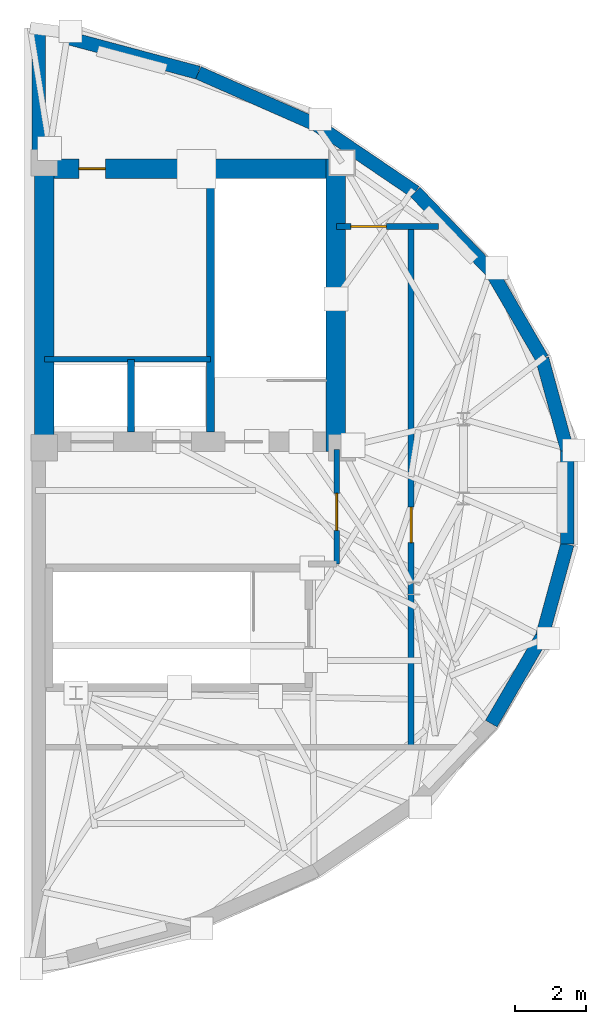
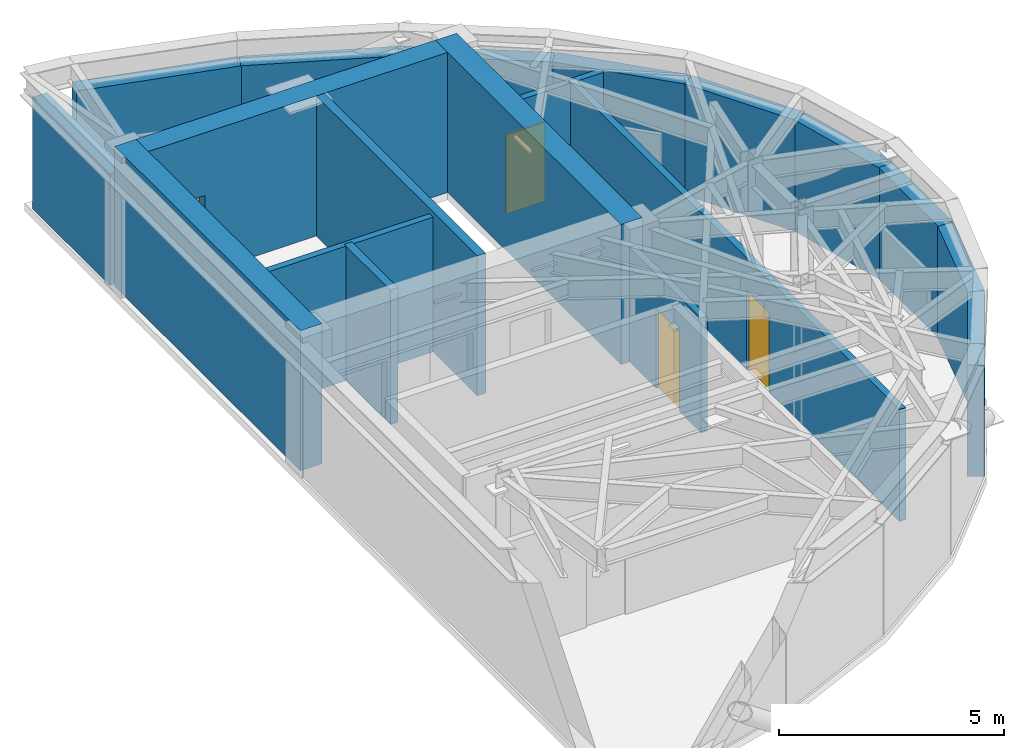
# One storey, part 3 of 4: 19 walls, 4 doors, 4 openings.
"""IFC4 building model written with IfcOpenShell, lengths in metres."""

import ifcopenshell
import ifcopenshell.guid

model = None  # the IFC model being written
_history = None  # IfcOwnerHistory: only IFC2X3 demands one
_inside = {}  # id of a spatial element -> (the spatial element, [elements in it])
_under = {}  # id of a project, library or spatial element -> (it, [spatial elements below it])
_declared = {}  # id of a project -> (the project, [libraries it declares])
_typed = {}  # id of a type object -> (the type object, [elements of that type])
_made_of = {}  # id of a material, layer set ... -> (it, [elements and type objects made of it])


def new_model(schema):
    """Start an empty IFC model of exactly this schema.

    Asked for "IFC4X3", IfcOpenShell would pick the latest addendum, in which some entities
    have other attributes; the version numbers below select the first issue.
    IFC2X3 requires an IfcOwnerHistory on every rooted entity: one is made here for all.
    """
    global model, _history
    if schema == "IFC4X3":
        model = ifcopenshell.file(schema_version=(4, 3, 0, 0))
    else:
        model = ifcopenshell.file(schema=schema)
    _inside.clear()
    _under.clear()
    _declared.clear()
    _typed.clear()
    _made_of.clear()
    _history = None
    if model.schema == "IFC2X3":
        org = make("IfcOrganization", Name="unknown")
        user = make(
            "IfcPersonAndOrganization",
            ThePerson=make("IfcPerson", FamilyName="unknown"),
            TheOrganization=org,
        )
        app = make(
            "IfcApplication",
            ApplicationDeveloper=org,
            Version="unknown",
            ApplicationFullName="unknown",
            ApplicationIdentifier="unknown",
        )
        _history = make(
            "IfcOwnerHistory",
            OwningUser=user,
            OwningApplication=app,
            ChangeAction="ADDED",
            CreationDate=0,
        )
    return model


def make(cls, **values):
    """One entity of the class cls with the attributes given. An attribute that is None is left unset."""
    return model.create_entity(
        cls, **{name: value for name, value in values.items() if value is not None}
    )


def rooted(cls, **values):
    """An entity with a GlobalId (a new one), such as an element, a storey or a relation."""
    return make(cls, GlobalId=ifcopenshell.guid.new(), OwnerHistory=_history, **values)


def si_unit(unit_type, name, prefix=None):
    """IfcSIUnit, for example si_unit("LENGTHUNIT", "METRE", prefix="MILLI")."""
    return make("IfcSIUnit", UnitType=unit_type, Prefix=prefix, Name=name)


def assignment(units):
    """IfcUnitAssignment: the units of a project."""
    return None if units is None else make("IfcUnitAssignment", Units=units)


def point(xyz):
    """IfcCartesianPoint."""
    return None if xyz is None else make("IfcCartesianPoint", Coordinates=xyz)


def direction(xyz):
    """IfcDirection."""
    return None if xyz is None else make("IfcDirection", DirectionRatios=xyz)


def frame(location, z_axis=None, x_axis=None):
    """IfcAxis2Placement3D, a coordinate frame: its origin and axes. An axis left out is left unset."""
    return make(
        "IfcAxis2Placement3D",
        Location=point(location),
        Axis=direction(z_axis),
        RefDirection=direction(x_axis),
    )


def frame_2d(location, x_axis=None):
    """IfcAxis2Placement2D, a coordinate frame in the plane: its origin and x axis."""
    return make(
        "IfcAxis2Placement2D", Location=point(location), RefDirection=direction(x_axis)
    )


def origin():
    """The frame at (0, 0, 0) with its axes left unset."""
    return frame((0.0, 0.0, 0.0))


def place(relative_to, where):
    """IfcLocalPlacement: puts the frame where relative to a parent placement (None: the world)."""
    return make(
        "IfcLocalPlacement", PlacementRelTo=relative_to, RelativePlacement=where
    )


def context(
    kind, dimensions, precision=None, world=None, true_north=None, identifier=None
):
    """IfcGeometricRepresentationContext, for example the 3D "Model" context."""
    return make(
        "IfcGeometricRepresentationContext",
        ContextIdentifier=identifier,
        ContextType=kind,
        CoordinateSpaceDimension=dimensions,
        Precision=precision,
        WorldCoordinateSystem=world,
        TrueNorth=true_north,
    )


def subcontext(parent, identifier, kind, view, scale=None):
    """IfcGeometricRepresentationSubContext, for example "Body" below "Model"."""
    return make(
        "IfcGeometricRepresentationSubContext",
        ContextIdentifier=identifier,
        ContextType=kind,
        ParentContext=parent,
        TargetScale=scale,
        TargetView=view,
    )


def project(units=None, contexts=None):
    """IfcProject with its units and contexts."""
    return rooted(
        "IfcProject",
        Name="project",
        RepresentationContexts=contexts,
        UnitsInContext=assignment(units),
    )


def spatial(cls, under=None, at=None, **own):
    """A site, building, storey or space (cls), placed at a placement, below another one or the project."""
    s = rooted(cls, ObjectPlacement=at, **own)
    if under is not None:
        _under.setdefault(under.id(), (under, []))[1].append(s)
    return s


def profile(cls, at=None, kind="AREA", **sizes):
    """A parametric profile (cls). Its sizes go by their IFC names, for example OverallWidth=200.0."""
    return make(cls, ProfileType=kind, Position=at, **sizes)


def rectangle(**sizes):
    """IfcRectangleProfileDef."""
    return profile("IfcRectangleProfileDef", **sizes)


def extrude(swept, where, along, depth):
    """IfcExtrudedAreaSolid: the profile swept, set in the frame where, extruded along a direction by depth."""
    return make(
        "IfcExtrudedAreaSolid",
        SweptArea=swept,
        Position=where,
        ExtrudedDirection=direction(along),
        Depth=depth,
    )


def shape(context_of_items, identifier, shape_type, items):
    """IfcShapeRepresentation: the items that make up one representation, for example the "Body"."""
    return make(
        "IfcShapeRepresentation",
        ContextOfItems=context_of_items,
        RepresentationIdentifier=identifier,
        RepresentationType=shape_type,
        Items=items,
    )


def material(Name=None, Category=None):
    """IfcMaterial."""
    return make("IfcMaterial", Name=Name, Category=Category)


def layer(
    of_material, thickness, ventilated=None, Name=None, Category=None, Priority=None
):
    """IfcMaterialLayer: one layer of a wall or slab, of a material (None: an air gap)."""
    return make(
        "IfcMaterialLayer",
        Material=of_material,
        LayerThickness=thickness,
        IsVentilated=ventilated,
        Name=Name,
        Category=Category,
        Priority=Priority,
    )


def layer_set(layers, Name=None):
    """IfcMaterialLayerSet."""
    return make("IfcMaterialLayerSet", MaterialLayers=layers, LayerSetName=Name)


def made_of(thing, what):
    """Note that an element or type object is made of a material, layer set ...; save() writes the relation."""
    if what is not None:
        _made_of.setdefault(what.id(), (what, []))[1].append(thing)
    return thing


def type_object(cls, material=None, **own):
    """A type object (cls), such as IfcWallType, which elements share."""
    return made_of(rooted(cls, **own), material)


def element(
    cls,
    number,
    at=None,
    inside=None,
    cuts=None,
    type_object=None,
    material=None,
    context=None,
    identifier="Body",
    shape_type=None,
    held_by="IfcProductDefinitionShape",
    body=None,
    shapes=None,
    **own,
):
    """One element of the class cls, such as IfcWall. Its Tag is "e" and its number.

    at: its placement. inside: the storey or other place that contains it. cuts: it is an
    opening in that element (IfcRelVoidsElement). A single representation is given by context,
    identifier, shape_type and body (its items); several are given by shapes. held_by: the class
    of the entity that holds the representations. save() writes the other relations.
    """
    e = rooted(cls, Tag="e%d" % number, ObjectPlacement=at, **own)
    if body is not None:
        shapes = [shape(context, identifier, shape_type, body)]
    if shapes is not None:
        e.Representation = make(held_by, Representations=shapes)
    if inside is not None:
        _inside.setdefault(inside.id(), (inside, []))[1].append(e)
    if cuts is not None:
        rooted(
            "IfcRelVoidsElement", RelatingBuildingElement=cuts, RelatedOpeningElement=e
        )
    if type_object is not None:
        _typed.setdefault(type_object.id(), (type_object, []))[1].append(e)
    return made_of(e, material)


def fill(opening, filler):
    """IfcRelFillsElement: the door or window that sits in an opening."""
    return rooted(
        "IfcRelFillsElement",
        RelatingOpeningElement=opening,
        RelatedBuildingElement=filler,
    )


def aggregate(whole, parts):
    """IfcRelAggregates: a whole, such as a stair, and the parts it consists of."""
    return rooted("IfcRelAggregates", RelatingObject=whole, RelatedObjects=parts)


def save(model, path):
    """Write the relations noted so far, then the file.

    IfcRelAggregates (storeys below a building ...), IfcRelContainedInSpatialStructure (elements
    in a storey), IfcRelDefinesByType, IfcRelAssociatesMaterial and IfcRelDeclares: one each for
    every whole, place, type object, material and project.
    """
    for whole, parts in _under.values():
        aggregate(whole, parts)
    for where, things in _inside.values():
        rooted(
            "IfcRelContainedInSpatialStructure",
            RelatedElements=things,
            RelatingStructure=where,
        )
    for kind, things in _typed.values():
        rooted("IfcRelDefinesByType", RelatedObjects=things, RelatingType=kind)
    for what, things in _made_of.values():
        rooted("IfcRelAssociatesMaterial", RelatedObjects=things, RelatingMaterial=what)
    for by, libraries in _declared.values():
        rooted("IfcRelDeclares", RelatingContext=by, RelatedDefinitions=libraries)
    model.write(path)


model = new_model("IFC4")

# Units and contexts
model_context = context("Model", 3, precision=1e-05, world=origin(), true_north=direction((0.0, 1.0)))
body_context = subcontext(model_context, "Body", "Model", "MODEL_VIEW")
ifc_project = project(units=[si_unit("LENGTHUNIT", "METRE"), si_unit("AREAUNIT", "SQUARE_METRE"), si_unit("VOLUMEUNIT", "CUBIC_METRE"), si_unit("PLANEANGLEUNIT", "RADIAN"), si_unit("MASSUNIT", "GRAM", prefix="KILO")], contexts=[model_context])

# Site, building, storey
site_placement = place(None, origin())
site = spatial("IfcSite", under=ifc_project, at=site_placement, CompositionType="ELEMENT")
building_placement = place(site_placement, origin())
building = spatial("IfcBuilding", under=site, at=building_placement, Name="Keldmark Tower", CompositionType="ELEMENT")
storey_placement = place(building_placement, frame((0.0, 0.0, 288.199951171875)))
storey = spatial("IfcBuildingStorey", under=building, at=storey_placement, Name="L81", CompositionType="ELEMENT", Elevation=288.199951171875)

# Walls
ifc_material_1 = material(Name="Kasota Buff Limestone Ashlar Masonry", Category="masonry")
ifc_layer_1 = layer(ifc_material_1, 0.3798828125)
ifc_layer_set_1 = layer_set([ifc_layer_1], Name="Kasota Buff Limestone Ashlar Masonry")
wall_type_1 = type_object("IfcWallType", Name="Crown Kasota Limestone Screen Wall 380 mm", PredefinedType="ELEMENTEDWALL", material=ifc_layer_set_1)
wall_1_placement = place(storey_placement, frame((9.544677734375, 11.985595703125, 0.0), z_axis=(0.0, 0.0, 1.0), x_axis=(-0.965986900467, 0.2585910055, 0.0)))
element("IfcWall", 1, at=wall_1_placement, inside=storey, type_object=wall_type_1, Name="L81 Crown Limestone Enclosure Wall E01", PredefinedType="ELEMENTEDWALL", context=body_context, shape_type="SweptSolid", body=[
    extrude(rectangle(XDim=3.813232421875, YDim=0.3798828125, at=frame_2d((1.90673828125, 0.0))), origin(), (0.0, 0.0, 1.0), 3.02001953125),
])
wall_2_placement = place(storey_placement, frame((12.869140625, 10.521240234375, 0.0), z_axis=(0.0, 0.0, 1.0), x_axis=(-0.915153428526, 0.403105696137, 0.0)))
element("IfcWall", 2, at=wall_2_placement, inside=storey, type_object=wall_type_1, Name="L81 Crown Limestone Enclosure Wall E02", PredefinedType="ELEMENTEDWALL", context=body_context, shape_type="SweptSolid", body=[
    extrude(rectangle(XDim=3.632568359375, YDim=0.3798828125, at=frame_2d((1.81640625, 0.0))), origin(), (0.0, 0.0, 1.0), 3.02001953125),
])
wall_3_placement = place(storey_placement, frame((15.66748046875, 8.623291015625, 0.0), z_axis=(0.0, 0.0, 1.0), x_axis=(-0.827602756671, 0.561314241001, 0.0)))
element("IfcWall", 3, at=wall_3_placement, inside=storey, type_object=wall_type_1, Name="L81 Crown Limestone Enclosure Wall E03", PredefinedType="ELEMENTEDWALL", context=body_context, shape_type="SweptSolid", body=[
    extrude(rectangle(XDim=3.38134765625, YDim=0.3798828125, at=frame_2d((1.690673828125, 0.0))), origin(), (0.0, 0.0, 1.0), 3.02001953125),
])
wall_4_placement = place(storey_placement, frame((17.81298828125, 6.38232421875, 0.0), z_axis=(0.0, 0.0, 1.0), x_axis=(-0.691554901652, 0.722323901031, 0.0)))
element("IfcWall", 4, at=wall_4_placement, inside=storey, type_object=wall_type_1, Name="L81 Crown Limestone Enclosure Wall E04", PredefinedType="ELEMENTEDWALL", context=body_context, shape_type="SweptSolid", body=[
    extrude(rectangle(XDim=3.1025390625, YDim=0.3798828125, at=frame_2d((1.55126953125, 0.0))), origin(), (0.0, 0.0, 1.0), 3.02001953125),
])
wall_5_placement = place(storey_placement, frame((19.250244140625, 3.9130859375, 0.0), z_axis=(0.0, 0.0, 1.0), x_axis=(-0.503052590922, 0.864255801697, 0.0)))
element("IfcWall", 5, at=wall_5_placement, inside=storey, type_object=wall_type_1, Name="L81 Crown Limestone Enclosure Wall E05", PredefinedType="ELEMENTEDWALL", context=body_context, shape_type="SweptSolid", body=[
    extrude(rectangle(XDim=2.857177734375, YDim=0.3798828125, at=frame_2d((1.4287109375, 0.0))), origin(), (0.0, 0.0, 1.0), 3.02001953125),
])
wall_6_placement = place(storey_placement, frame((19.959228515625, 1.317138671875, 0.0), z_axis=(0.0, 0.0, 1.0), x_axis=(-0.263462838451, 0.964669545884, 0.0)))
element("IfcWall", 6, at=wall_6_placement, inside=storey, type_object=wall_type_1, Name="L81 Crown Limestone Enclosure Wall E06", PredefinedType="ELEMENTEDWALL", context=body_context, shape_type="SweptSolid", body=[
    extrude(rectangle(XDim=2.69091796875, YDim=0.3798828125, at=frame_2d((1.345458984375, 0.0))), origin(), (0.0, 0.0, 1.0), 3.02001953125),
])
wall_7_placement = place(storey_placement, frame((19.959228515625, -1.317138671875, 0.0), z_axis=(0.0, 0.0, 1.0), x_axis=(0.0, 1.0, 0.0)))
element("IfcWall", 7, at=wall_7_placement, inside=storey, type_object=wall_type_1, Name="L81 Crown Limestone Enclosure Wall E07", PredefinedType="ELEMENTEDWALL", context=body_context, shape_type="SweptSolid", body=[
    extrude(rectangle(XDim=2.63427734375, YDim=0.3798828125, at=frame_2d((1.317138671875, 0.0))), origin(), (0.0, 0.0, 1.0), 3.02001953125),
])
wall_8_placement = place(storey_placement, frame((19.250244140625, -3.9130859375, 0.0), z_axis=(0.0, 0.0, 1.0), x_axis=(0.263462838451, 0.964669545884, 0.0)))
element("IfcWall", 8, at=wall_8_placement, inside=storey, type_object=wall_type_1, Name="L81 Crown Limestone Enclosure Wall E08", PredefinedType="ELEMENTEDWALL", context=body_context, shape_type="SweptSolid", body=[
    extrude(rectangle(XDim=2.69091796875, YDim=0.3798828125, at=frame_2d((1.345458984375, 0.0))), origin(), (0.0, 0.0, 1.0), 3.02001953125),
])
wall_9_placement = place(storey_placement, frame((17.81298828125, -6.38232421875, 0.0), z_axis=(0.0, 0.0, 1.0), x_axis=(0.503052590922, 0.864255801697, 0.0)))
element("IfcWall", 9, at=wall_9_placement, inside=storey, type_object=wall_type_1, Name="L81 Crown Limestone Enclosure Wall E09", PredefinedType="ELEMENTEDWALL", context=body_context, shape_type="SweptSolid", body=[
    extrude(rectangle(XDim=2.857177734375, YDim=0.3798828125, at=frame_2d((1.4287109375, 0.0))), origin(), (0.0, 0.0, 1.0), 3.02001953125),
])
wall_10_placement = place(storey_placement, frame((5.0400390625, 13.074951171875, 0.0), z_axis=(0.0, 0.0, 1.0), x_axis=(0.0, -1.0, 0.0)))
element("IfcWall", 10, at=wall_10_placement, inside=storey, type_object=wall_type_1, Name="L81 Crown Limestone Enclosure Wall E15", PredefinedType="ELEMENTEDWALL", context=body_context, shape_type="SweptSolid", body=[
    extrude(rectangle(XDim=3.445068359375, YDim=0.3798828125, at=frame_2d((1.72265625, 0.0))), origin(), (0.0, 0.0, 1.0), 3.02001953125),
])
ifc_material_2 = material(Name="Concrete C50/60", Category="concrete")
ifc_layer_2 = layer(ifc_material_2, 0.550048828125)
ifc_layer_set_2 = layer_set([ifc_layer_2], Name="Concrete C50/60")
wall_type_2 = type_object("IfcWallType", Name="High-Rise Core Shear Wall 550 mm", PredefinedType="SHEAR", material=ifc_layer_set_2)
wall_11_placement = place(storey_placement, frame((13.425048828125, 1.300048828125, 0.0), z_axis=(0.0, 0.0, 1.0), x_axis=(0.0, 1.0, 0.0)))
element("IfcWall", 11, at=wall_11_placement, inside=storey, type_object=wall_type_2, Name="L81 East Crown Core East Wall", PredefinedType="SHEAR", context=body_context, shape_type="SweptSolid", body=[
    extrude(rectangle(XDim=8.25, YDim=0.550048828125, at=frame_2d((4.125, 0.0))), origin(), (0.0, 0.0, 1.0), 3.800048828125),
])

# Wall, opening, door
wall_12_placement = place(storey_placement, frame((4.925048828125, 9.27490234375, 0.0), z_axis=(0.0, 0.0, 1.0), x_axis=(1.0, 0.0, 0.0)))
wall_12 = element("IfcWall", 12, at=wall_12_placement, inside=storey, type_object=wall_type_2, Name="L81 East Crown Core North Wall", PredefinedType="SHEAR", context=body_context, shape_type="SweptSolid", body=[
    extrude(rectangle(XDim=8.77490234375, YDim=0.550048828125, at=frame_2d((4.387451171875, 0.0))), origin(), (0.0, 0.0, 1.0), 3.800048828125),
])
opening_1_placement = place(wall_12_placement, frame((1.25, 0.0, 0.0)))
opening_1 = element("IfcOpeningElement", 13, at=opening_1_placement, cuts=wall_12, Name="Opening D-RS075", PredefinedType="OPENING", context=body_context, shape_type="SweptSolid", body=[
    extrude(rectangle(XDim=0.75, YDim=2.10009765625, at=frame_2d((0.375, 1.050048828125))), frame((0.0, 0.284912109375, 0.0), z_axis=(0.0, -1.0, 0.0), x_axis=(1.0, 0.0, 0.0)), (0.0, 0.0, 1.0), 0.570068359375),
])
ifc_material_3 = material(Name="Galvanized Fire-Rated Access Leaf", Category="metal")
door_type_1 = type_object("IfcDoorType", Name="Riser Access Door 750x2100", OperationType="NOTDEFINED", PredefinedType="DOOR", material=ifc_material_3)
door_1_placement = place(opening_1_placement, origin())
door_1 = element("IfcDoor", 14, at=door_1_placement, inside=storey, type_object=door_type_1, Name="L81 Riser Access Door 750x2100 D-EC-RIS-L81", OperationType="SINGLE_SWING_RIGHT", OverallHeight=2.10009765625, OverallWidth=0.75, PredefinedType="DOOR", context=body_context, shape_type="SweptSolid", body=[
    extrude(rectangle(XDim=0.75, YDim=2.10009765625, at=frame_2d((0.375, 1.050048828125))), frame((0.0, 0.02490234375, 0.0), z_axis=(0.0, -1.0, 0.0), x_axis=(1.0, 0.0, 0.0)), (0.0, 0.0, 1.0), 0.050048828125),
])
fill(opening_1, door_1)

# Walls
wall_13_placement = place(storey_placement, frame((5.199951171875, 1.300048828125, 0.0), z_axis=(0.0, 0.0, 1.0), x_axis=(0.0, 1.0, 0.0)))
element("IfcWall", 15, at=wall_13_placement, inside=storey, type_object=wall_type_2, Name="L81 East Crown Core Slot Wall", PredefinedType="SHEAR", context=body_context, shape_type="SweptSolid", body=[
    extrude(rectangle(XDim=8.25, YDim=0.550048828125, at=frame_2d((4.125, 0.0))), origin(), (0.0, 0.0, 1.0), 3.800048828125),
])
ifc_material_4 = material(Name="Type X Fire-Rated Gypsum Partition Assembly", Category="gypsum")
ifc_layer_3 = layer(ifc_material_4, 0.1650390625)
ifc_layer_set_3 = layer_set([ifc_layer_3], Name="Type X Fire-Rated Gypsum Partition Assembly")
wall_type_3 = type_object("IfcWallType", Name="Rated Partition 165 mm", PredefinedType="PARTITIONING", material=ifc_layer_set_3)
wall_14_placement = place(storey_placement, frame((5.199951171875, 3.89990234375, 0.0), z_axis=(0.0, 0.0, 1.0), x_axis=(1.0, 0.0, 0.0)))
element("IfcWall", 16, at=wall_14_placement, inside=storey, type_object=wall_type_3, Name="L81 Rated Partition 165 mm EC-SV-N", PredefinedType="PARTITIONING", context=body_context, shape_type="SweptSolid", body=[
    extrude(rectangle(XDim=4.68994140625, YDim=0.1650390625, at=frame_2d((2.344970703125, 0.0))), origin(), (0.0, 0.0, 1.0), 3.650146484375),
])

# Wall, opening, door
wall_15_placement = place(storey_placement, frame((13.449951171875, -1.8798828125, 0.0), z_axis=(0.0, 0.0, 1.0), x_axis=(0.0, 1.0, 0.0)))
wall_15 = element("IfcWall", 17, at=wall_15_placement, inside=storey, type_object=wall_type_3, Name="L81 Rated Partition 165 mm EC-FSAE-E", PredefinedType="PARTITIONING", context=body_context, shape_type="SweptSolid", body=[
    extrude(rectangle(XDim=3.22998046875, YDim=0.1650390625, at=frame_2d((1.614990234375, 0.0))), origin(), (0.0, 0.0, 1.0), 3.111083984375),
])
opening_2_placement = place(wall_15_placement, frame((0.949951171875, 0.0, 0.0)))
opening_2 = element("IfcOpeningElement", 18, at=opening_2_placement, cuts=wall_15, Name="Opening D-FL105", PredefinedType="OPENING", context=body_context, shape_type="SweptSolid", body=[
    extrude(rectangle(XDim=1.050048828125, YDim=2.14990234375, at=frame_2d((0.52490234375, 1.074951171875))), frame((0.0, 0.092529296875, 0.0), z_axis=(0.0, -1.0, 0.0), x_axis=(1.0, 0.0, 0.0)), (0.0, 0.0, 1.0), 0.18505859375),
])
ifc_material_5 = material(Name="Fire-Rated Mineral-Core Door and Vision Lite", Category="metal")
door_type_2 = type_object("IfcDoorType", Name="Fire Lobby Door 1050x2150", OperationType="NOTDEFINED", PredefinedType="DOOR", material=ifc_material_5)
door_2_placement = place(opening_2_placement, origin())
door_2 = element("IfcDoor", 19, at=door_2_placement, inside=storey, type_object=door_type_2, Name="L81 Fire Lobby Door 1050x2150 D-ECFSAE-E-L81", OperationType="SINGLE_SWING_LEFT", OverallHeight=2.14990234375, OverallWidth=1.050048828125, PredefinedType="DOOR", context=body_context, shape_type="SweptSolid", body=[
    extrude(rectangle(XDim=1.050048828125, YDim=2.14990234375, at=frame_2d((0.52490234375, 1.074951171875))), frame((0.0, 0.02490234375, 0.0), z_axis=(0.0, -1.0, 0.0), x_axis=(1.0, 0.0, 0.0)), (0.0, 0.0, 1.0), 0.050048828125),
])
fill(opening_2, door_2)

wall_16_placement = place(storey_placement, frame((15.550048828125, -7.050048828125, 0.0), z_axis=(0.0, 0.0, 1.0), x_axis=(0.0, 1.0, 0.0)))
wall_16 = element("IfcWall", 20, at=wall_16_placement, inside=storey, type_object=wall_type_3, Name="L81 Rated Partition 165 mm EC-ECOR-E", PredefinedType="PARTITIONING", context=body_context, shape_type="SweptSolid", body=[
    extrude(rectangle(XDim=14.699951171875, YDim=0.1650390625, at=frame_2d((7.35009765625, 0.0))), origin(), (0.0, 0.0, 1.0), 3.037109375),
])
opening_3_placement = place(wall_16_placement, frame((5.780029296875, 0.0, 0.0)))
opening_3 = element("IfcOpeningElement", 21, at=opening_3_placement, cuts=wall_16, Name="Opening D-FD100", PredefinedType="OPENING", context=body_context, shape_type="SweptSolid", body=[
    extrude(rectangle(XDim=1.0, YDim=2.14990234375, at=frame_2d((0.5, 1.074951171875))), frame((0.0, 0.092529296875, 0.0), z_axis=(0.0, -1.0, 0.0), x_axis=(1.0, 0.0, 0.0)), (0.0, 0.0, 1.0), 0.18505859375),
])
ifc_material_6 = material(Name="Hollow Metal Fire-Rated Corridor Door", Category="metal")
door_type_3 = type_object("IfcDoorType", Name="Fire Door 1000x2150", OperationType="NOTDEFINED", PredefinedType="DOOR", material=ifc_material_6)
door_3_placement = place(opening_3_placement, origin())
door_3 = element("IfcDoor", 22, at=door_3_placement, inside=storey, type_object=door_type_3, Name="L81 Fire Door 1000x2150 D-ECPE1-L81", OperationType="SINGLE_SWING_RIGHT", OverallHeight=2.14990234375, OverallWidth=1.0, PredefinedType="DOOR", context=body_context, shape_type="SweptSolid", body=[
    extrude(rectangle(XDim=1.0, YDim=2.14990234375, at=frame_2d((0.5, 1.074951171875))), frame((0.0, 0.02490234375, 0.0), z_axis=(0.0, -1.0, 0.0), x_axis=(1.0, 0.0, 0.0)), (0.0, 0.0, 1.0), 0.050048828125),
])
fill(opening_3, door_3)

wall_17_placement = place(storey_placement, frame((13.449951171875, 7.64990234375, 0.0), z_axis=(0.0, 0.0, 1.0), x_axis=(1.0, 0.0, 0.0)))
wall_17 = element("IfcWall", 23, at=wall_17_placement, inside=storey, type_object=wall_type_3, Name="L81 Rated Partition 165 mm EC-NCAP", PredefinedType="PARTITIONING", context=body_context, shape_type="SweptSolid", body=[
    extrude(rectangle(XDim=2.875244140625, YDim=0.1650390625, at=frame_2d((1.4375, 0.0))), origin(), (0.0, 0.0, 1.0), 3.01806640625),
])
opening_4_placement = place(wall_17_placement, frame((0.39990234375, 0.0, 0.0)))
opening_4 = element("IfcOpeningElement", 24, at=opening_4_placement, cuts=wall_17, Name="Opening D-FD100", PredefinedType="OPENING", context=body_context, shape_type="SweptSolid", body=[
    extrude(rectangle(XDim=1.0, YDim=2.14990234375, at=frame_2d((0.5, 1.074951171875))), frame((0.0, 0.092529296875, 0.0), z_axis=(0.0, -1.0, 0.0), x_axis=(1.0, 0.0, 0.0)), (0.0, 0.0, 1.0), 0.18505859375),
])
door_4_placement = place(opening_4_placement, origin())
door_4 = element("IfcDoor", 25, at=door_4_placement, inside=storey, type_object=door_type_3, Name="L81 Fire Door 1000x2150 D-ECPN-L81", OperationType="SINGLE_SWING_LEFT", OverallHeight=2.14990234375, OverallWidth=1.0, PredefinedType="DOOR", context=body_context, shape_type="SweptSolid", body=[
    extrude(rectangle(XDim=1.0, YDim=2.14990234375, at=frame_2d((0.5, 1.074951171875))), frame((0.0, 0.02490234375, 0.0), z_axis=(0.0, -1.0, 0.0), x_axis=(1.0, 0.0, 0.0)), (0.0, 0.0, 1.0), 0.050048828125),
])
fill(opening_4, door_4)

# Walls
ifc_material_7 = material(Name="Fire-Resistant Type X Gypsum Shaftliner Coreboard", Category="gypsum")
ifc_layer_4 = layer(ifc_material_7, 0.199951171875)
ifc_layer_set_4 = layer_set([ifc_layer_4], Name="Fire-Resistant Type X Gypsum Shaftliner Coreboard")
wall_type_4 = type_object("IfcWallType", Name="Shaft Wall 200 mm", PredefinedType="SOLIDWALL", material=ifc_layer_set_4)
wall_18_placement = place(storey_placement, frame((7.64990234375, 1.85009765625, 0.0), z_axis=(0.0, 0.0, 1.0), x_axis=(0.0, 1.0, 0.0)))
element("IfcWall", 26, at=wall_18_placement, inside=storey, type_object=wall_type_4, Name="L81 Shaft Wall 200 mm EC-DIV", PredefinedType="SOLIDWALL", context=body_context, shape_type="SweptSolid", body=[
    extrude(rectangle(XDim=2.0498046875, YDim=0.199951171875, at=frame_2d((1.02490234375, 0.0))), origin(), (0.0, 0.0, 1.0), 3.650146484375),
])
ifc_material_8 = material(Name="Concrete C50/60", Category="concrete")
ifc_layer_5 = layer(ifc_material_8, 0.219970703125)
ifc_layer_set_5 = layer_set([ifc_layer_5], Name="Concrete C50/60")
wall_type_5 = type_object("IfcWallType", Name="Stair Core Shear Wall 220 mm", PredefinedType="SHEAR", material=ifc_layer_set_5)
wall_19_placement = place(storey_placement, frame((9.889892578125, 1.85009765625, 0.0), z_axis=(0.0, 0.0, 1.0), x_axis=(0.0, 1.0, 0.0)))
element("IfcWall", 27, at=wall_19_placement, inside=storey, type_object=wall_type_5, Name="L81 East Stair Core Shear Wall", PredefinedType="SHEAR", context=body_context, shape_type="SweptSolid", body=[
    extrude(rectangle(XDim=7.14990234375, YDim=0.219970703125, at=frame_2d((3.574951171875, 0.0))), origin(), (0.0, 0.0, 1.0), 3.800048828125),
])

save(model, "model.ifc")
